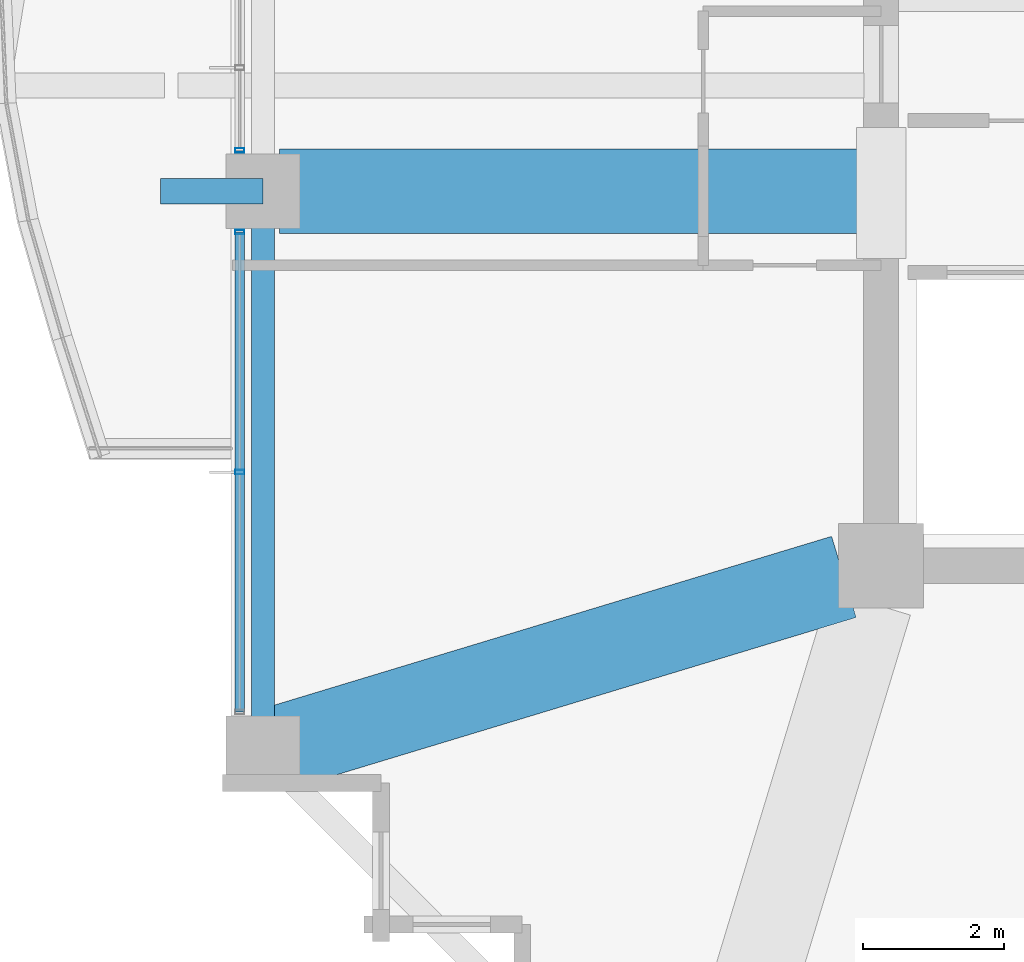
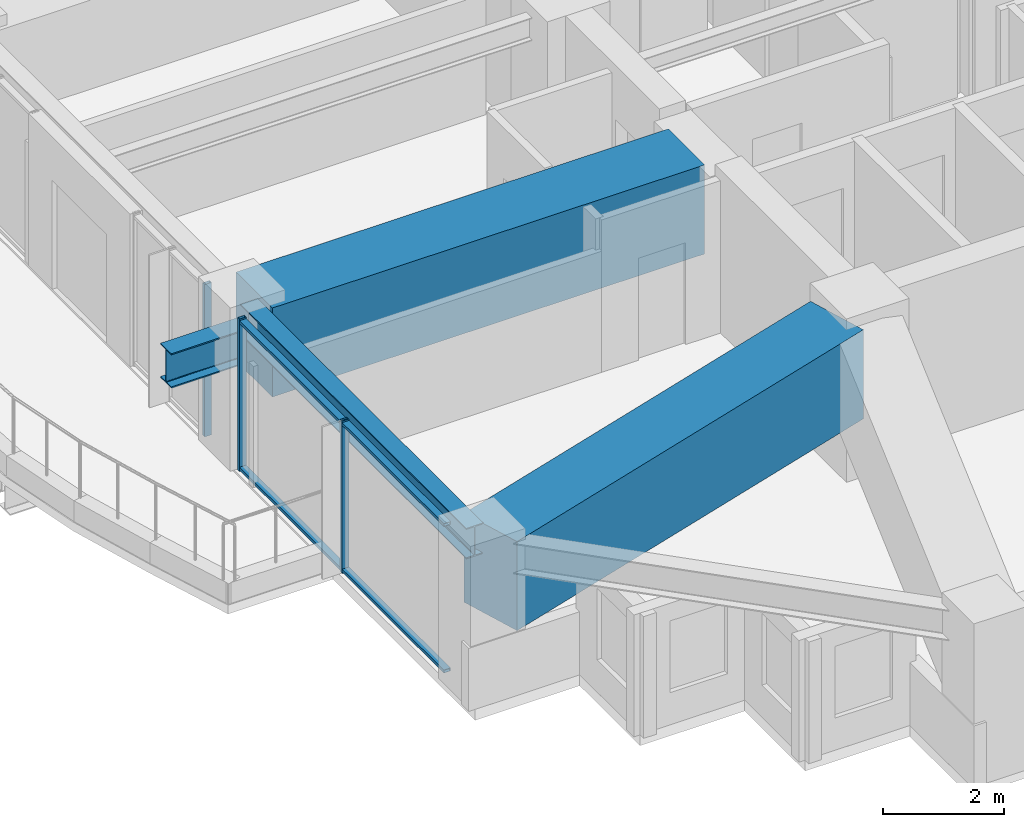
# One storey, part 4 of 36: 5 members, 4 beams, 2 elements without a shape of their own.
"""IFC4 building model written with IfcOpenShell, lengths in metres."""

from ifc_helpers import new_model, si_unit, direction, frame, origin, origin_2d, place, context, subcontext, project, spatial, rectangle, hollow_rectangle, i_section, extrude, material, material_profile, profile_set, type_object, element, aggregate, save


model = new_model("IFC4")

# Units and contexts
model_context = context("Model", 3, precision=1e-05, world=origin(), true_north=direction((0.0, 1.0)))
body_context = subcontext(model_context, "Body", "Model", "MODEL_VIEW")
ifc_project = project(units=[si_unit("LENGTHUNIT", "METRE"), si_unit("AREAUNIT", "SQUARE_METRE"), si_unit("VOLUMEUNIT", "CUBIC_METRE"), si_unit("PLANEANGLEUNIT", "RADIAN"), si_unit("MASSUNIT", "GRAM", prefix="KILO")], contexts=[model_context])

# Site, building, storey
site_placement = place(None, origin())
site = spatial("IfcSite", under=ifc_project, at=site_placement, CompositionType="ELEMENT")
building_placement = place(site_placement, origin())
building = spatial("IfcBuilding", under=site, at=building_placement, Name="Kolvaren Belvedere", CompositionType="ELEMENT")
storey_placement = place(building_placement, frame((0.0, 0.0, 108.5)))
storey = spatial("IfcBuildingStorey", under=building, at=storey_placement, Name="L31", CompositionType="ELEMENT", Elevation=108.5)

# Beams
ifc_material_1 = material(Name="Structural steel ASTM A992 Grade 50", Category="steel")
ifc_material_profile_1 = material_profile(ifc_material_1, i_section(OverallWidth=0.35498046875, OverallDepth=0.696044921875, WebThickness=0.015380859375, FlangeThickness=0.02490234375, FilletRadius=0.02197265625, at=origin_2d()), Name="W27X146")
ifc_profile_set_1 = profile_set([ifc_material_profile_1], Name="Structural steel ASTM A992 Grade 50")
beam_type_1 = type_object("IfcBeamType", Name="BM-CANT-BAL", PredefinedType="BEAM", material=ifc_profile_set_1)
beam_1_placement = place(storey_placement, frame((-18.64990234375, -4.60009765625, 2.14208984375), z_axis=(-1.0, 0.0, 0.0), x_axis=(0.0, -1.0, 0.0)))
element("IfcBeam", 1, at=beam_1_placement, inside=storey, type_object=beam_type_1, Name="L31 West Picture-Frame Column Corbel M", PredefinedType="BEAM", context=body_context, shape_type="SweptSolid", body=[
    extrude(i_section(OverallWidth=0.35498046875, OverallDepth=0.696044921875, WebThickness=0.015380859375, FlangeThickness=0.02490234375, FilletRadius=0.02197265625, at=origin_2d()), origin(), (0.0, 0.0, 1.0), 1.4501953125),
])
ifc_material_2 = material(Name="Structural steel ASTM A992 Grade 50", Category="steel")
ifc_material_profile_2 = material_profile(ifc_material_2, i_section(OverallWidth=0.324951171875, OverallDepth=0.615966796875, WebThickness=0.013916015625, FlangeThickness=0.021484375, FilletRadius=0.02001953125, at=origin_2d()), Name="W24X117")
ifc_profile_set_2 = profile_set([ifc_material_profile_2], Name="Structural steel ASTM A992 Grade 50")
beam_type_2 = type_object("IfcBeamType", Name="BM-SPAN-W24X117", PredefinedType="SPANDREL", material=ifc_profile_set_2)
beam_2_placement = place(storey_placement, frame((-18.64990234375, -4.836181640625, 2.77197265625), z_axis=(0.0, -1.0, 0.0), x_axis=(1.0, 0.0, 0.0)))
element("IfcBeam", 2, at=beam_2_placement, inside=storey, type_object=beam_type_2, Name="L31 Perimeter Spandrel W2-W1", PredefinedType="SPANDREL", context=body_context, shape_type="SweptSolid", body=[
    extrude(i_section(OverallWidth=0.324951171875, OverallDepth=0.615966796875, WebThickness=0.013916015625, FlangeThickness=0.021484375, FilletRadius=0.02001953125, at=origin_2d()), origin(), (0.0, 0.0, 1.0), 7.4775390625),
])
ifc_material_3 = material(Name="Concrete C50/60", Category="concrete")
ifc_material_profile_3 = material_profile(ifc_material_3, rectangle(XDim=1.199951171875, YDim=1.800048828125, at=origin_2d()), Name="RC 1200X1800")
ifc_profile_set_3 = profile_set([ifc_material_profile_3], Name="Concrete C50/60")
beam_type_3 = type_object("IfcBeamType", Name="BM-TG-1800", PredefinedType="BEAM", material=ifc_profile_set_3)
beam_3_placement = place(storey_placement, frame((-10.14990234375, -4.60009765625, 2.179931640625), z_axis=(-1.0, 0.0, 0.0), x_axis=(0.0, -1.0, 0.0)))
element("IfcBeam", 3, at=beam_3_placement, inside=storey, type_object=beam_type_3, Name="L31 West Radial Girder M", PredefinedType="BEAM", context=body_context, shape_type="SweptSolid", body=[
    extrude(rectangle(XDim=1.199951171875, YDim=1.800048828125, at=origin_2d()), origin(), (0.0, 0.0, 1.0), 8.263916015625),
])
beam_4_placement = place(storey_placement, frame((-10.426513671875, -10.059326171875, 2.179931640625), z_axis=(-0.957069465398, -0.289858652454, 0.0), x_axis=(0.289858652454, -0.957069465398, 0.0)))
element("IfcBeam", 4, at=beam_4_placement, inside=storey, type_object=beam_type_3, Name="L31 Corner Core-to-Perimeter Girder CC1-W1", PredefinedType="BEAM", context=body_context, shape_type="SweptSolid", body=[
    extrude(rectangle(XDim=1.199951171875, YDim=1.800048828125, at=origin_2d()), origin(), (0.0, 0.0, 1.0), 8.38232421875),
])

# Curtain wall, members
ifc_material_4 = material(Name="Anodised pale-metal aluminium AA 6063-T6", Category="aluminium")
curtain_wall_type = type_object("IfcCurtainWallType", Name="CW-Z3-WAIST", PredefinedType="NOTDEFINED", material=ifc_material_4)
curtain_wall_1_placement = place(storey_placement, origin())
curtain_wall_1 = element("IfcCurtainWall", 5, at=curtain_wall_1_placement, inside=storey, type_object=curtain_wall_type, Name="L31 Unitised Curtain Wall FCW-L31-W1-B1", PredefinedType="NOTDEFINED")
ifc_material_5 = material(Name="Anodised pale-metal aluminium AA 6063-T6", Category="aluminium")
ifc_material_profile_4 = material_profile(ifc_material_5, hollow_rectangle(XDim=0.06494140625, YDim=0.1298828125, WallThickness=0.00390625, at=origin_2d()), Name="ALU-MUL-130X65")
ifc_profile_set_4 = profile_set([ifc_material_profile_4], Name="Anodised pale-metal aluminium AA 6063-T6")
member_type_1 = type_object("IfcMemberType", Name="CW-MUL-130", PredefinedType="MULLION", material=ifc_profile_set_4)
member_1_placement = place(storey_placement, frame((-18.97998046875, -8.574951171875, 0.0), z_axis=(0.0, 0.0, 1.0), x_axis=(0.0, 1.0, 0.0)))
member_1 = element("IfcMember", 6, at=member_1_placement, type_object=member_type_1, Name="FCW-L31-W1-B1 Unitised Mullion 2", PredefinedType="MULLION", context=body_context, shape_type="SweptSolid", body=[
    extrude(hollow_rectangle(XDim=0.06494140625, YDim=0.1298828125, WallThickness=0.00390625, at=origin_2d()), origin(), (0.0, 0.0, 1.0), 3.080078125),
])
member_2_placement = place(storey_placement, frame((-18.97998046875, -5.177490234375, 0.0), z_axis=(0.0, 0.0, 1.0), x_axis=(0.0, 1.0, 0.0)))
member_2 = element("IfcMember", 7, at=member_2_placement, type_object=member_type_1, Name="FCW-L31-W1-B1 Unitised Mullion 3", PredefinedType="MULLION", context=body_context, shape_type="SweptSolid", body=[
    extrude(hollow_rectangle(XDim=0.06494140625, YDim=0.1298828125, WallThickness=0.00390625, at=origin_2d()), origin(), (0.0, 0.0, 1.0), 3.080078125),
])

# Curtain wall, member
curtain_wall_2_placement = place(storey_placement, origin())
curtain_wall_2 = element("IfcCurtainWall", 8, at=curtain_wall_2_placement, inside=storey, type_object=curtain_wall_type, Name="L31 Unitised Curtain Wall FCW-L31-W1-B2", PredefinedType="NOTDEFINED")
member_3_placement = place(storey_placement, frame((-18.97998046875, -4.0224609375, 0.0), z_axis=(0.0, 0.0, 1.0), x_axis=(0.0, 1.0, 0.0)))
member_3 = element("IfcMember", 9, at=member_3_placement, type_object=member_type_1, Name="FCW-L31-W1-B2 Unitised Mullion 1", PredefinedType="MULLION", context=body_context, shape_type="SweptSolid", body=[
    extrude(hollow_rectangle(XDim=0.06494140625, YDim=0.1298828125, WallThickness=0.00390625, at=origin_2d()), origin(), (0.0, 0.0, 1.0), 3.080078125),
])
aggregate(curtain_wall_2, [member_3])

# Member
ifc_material_6 = material(Name="Anodised pale-metal aluminium AA 6063-T6", Category="aluminium")
ifc_material_profile_5 = material_profile(ifc_material_6, hollow_rectangle(XDim=0.06005859375, YDim=0.1298828125, WallThickness=0.00390625, at=origin_2d()), Name="ALU-TRN-130X60")
ifc_profile_set_5 = profile_set([ifc_material_profile_5], Name="Anodised pale-metal aluminium AA 6063-T6")
member_type_2 = type_object("IfcMemberType", Name="CW-TRN-130", PredefinedType="USERDEFINED", material=ifc_profile_set_5)
member_4_placement = place(storey_placement, frame((-18.97998046875, -11.972412109375, 0.06005859375), z_axis=(0.0, 1.0, 0.0), x_axis=(0.0, 0.0, 1.0)))
member_4 = element("IfcMember", 10, at=member_4_placement, type_object=member_type_2, Name="FCW-L31-W1-B1 Sill Transom", ObjectType="TRANSOM", PredefinedType="USERDEFINED", context=body_context, shape_type="SweptSolid", body=[
    extrude(hollow_rectangle(XDim=0.06005859375, YDim=0.1298828125, WallThickness=0.00390625, at=origin_2d()), origin(), (0.0, 0.0, 1.0), 6.794921875),
])

member_5_placement = place(storey_placement, frame((-18.97998046875, -11.972412109375, 3.02001953125), z_axis=(0.0, 1.0, 0.0), x_axis=(0.0, 0.0, 1.0)))
member_5 = element("IfcMember", 11, at=member_5_placement, type_object=member_type_2, Name="FCW-L31-W1-B1 Head Transom", ObjectType="TRANSOM", PredefinedType="USERDEFINED", context=body_context, shape_type="SweptSolid", body=[
    extrude(hollow_rectangle(XDim=0.06005859375, YDim=0.1298828125, WallThickness=0.00390625, at=origin_2d()), origin(), (0.0, 0.0, 1.0), 6.794921875),
])

aggregate(curtain_wall_1, [member_1, member_2, member_4, member_5])

save(model, "model.ifc")
